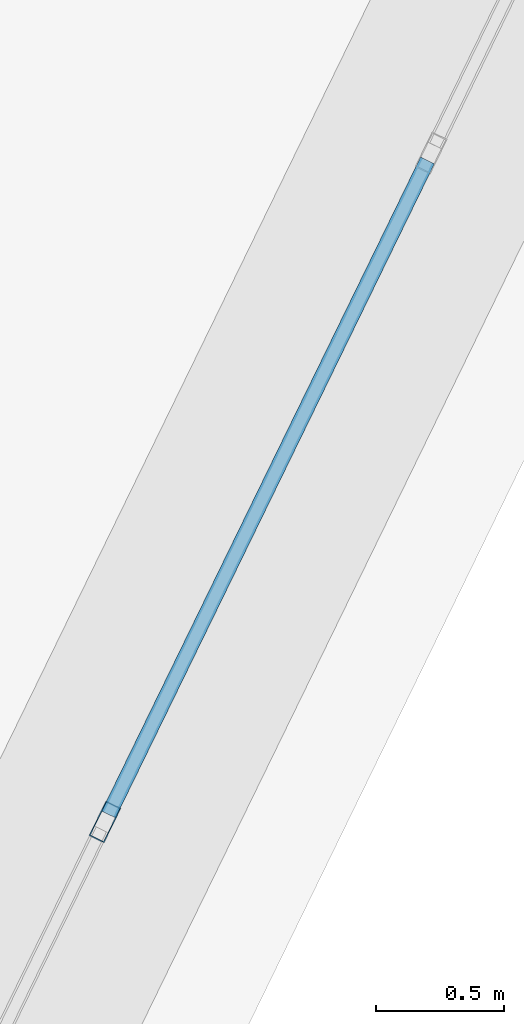
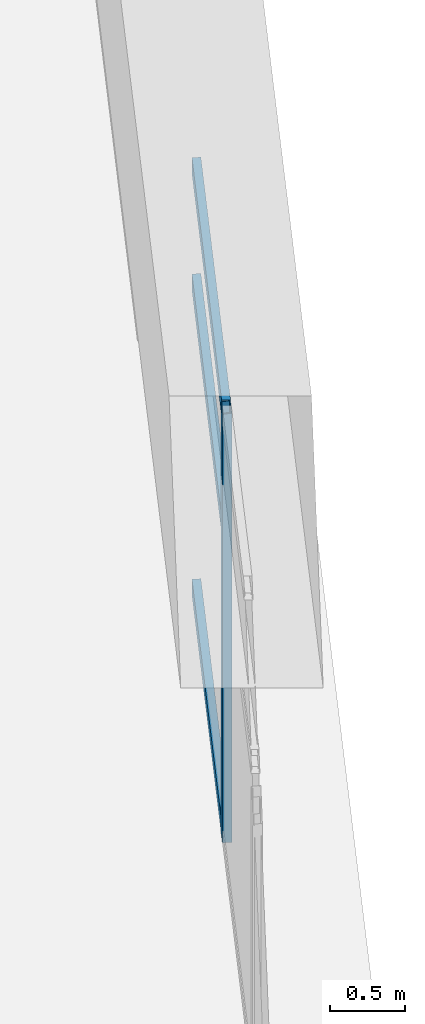
# One storey, part 18 of 40: 4 members, 1 element without a shape of its own.
"""IFC4 building model written with IfcOpenShell, lengths in metres."""

import ifcopenshell
import ifcopenshell.guid

model = None  # the IFC model being written
_history = None  # IfcOwnerHistory: only IFC2X3 demands one
_inside = {}  # id of a spatial element -> (the spatial element, [elements in it])
_under = {}  # id of a project, library or spatial element -> (it, [spatial elements below it])
_declared = {}  # id of a project -> (the project, [libraries it declares])
_typed = {}  # id of a type object -> (the type object, [elements of that type])
_made_of = {}  # id of a material, layer set ... -> (it, [elements and type objects made of it])


def new_model(schema):
    """Start an empty IFC model of exactly this schema.

    Asked for "IFC4X3", IfcOpenShell would pick the latest addendum, in which some entities
    have other attributes; the version numbers below select the first issue.
    IFC2X3 requires an IfcOwnerHistory on every rooted entity: one is made here for all.
    """
    global model, _history
    if schema == "IFC4X3":
        model = ifcopenshell.file(schema_version=(4, 3, 0, 0))
    else:
        model = ifcopenshell.file(schema=schema)
    _inside.clear()
    _under.clear()
    _declared.clear()
    _typed.clear()
    _made_of.clear()
    _history = None
    if model.schema == "IFC2X3":
        org = make("IfcOrganization", Name="unknown")
        user = make(
            "IfcPersonAndOrganization",
            ThePerson=make("IfcPerson", FamilyName="unknown"),
            TheOrganization=org,
        )
        app = make(
            "IfcApplication",
            ApplicationDeveloper=org,
            Version="unknown",
            ApplicationFullName="unknown",
            ApplicationIdentifier="unknown",
        )
        _history = make(
            "IfcOwnerHistory",
            OwningUser=user,
            OwningApplication=app,
            ChangeAction="ADDED",
            CreationDate=0,
        )
    return model


def make(cls, **values):
    """One entity of the class cls with the attributes given. An attribute that is None is left unset."""
    return model.create_entity(
        cls, **{name: value for name, value in values.items() if value is not None}
    )


def rooted(cls, **values):
    """An entity with a GlobalId (a new one), such as an element, a storey or a relation."""
    return make(cls, GlobalId=ifcopenshell.guid.new(), OwnerHistory=_history, **values)


def si_unit(unit_type, name, prefix=None):
    """IfcSIUnit, for example si_unit("LENGTHUNIT", "METRE", prefix="MILLI")."""
    return make("IfcSIUnit", UnitType=unit_type, Prefix=prefix, Name=name)


def assignment(units):
    """IfcUnitAssignment: the units of a project."""
    return None if units is None else make("IfcUnitAssignment", Units=units)


def point(xyz):
    """IfcCartesianPoint."""
    return None if xyz is None else make("IfcCartesianPoint", Coordinates=xyz)


def direction(xyz):
    """IfcDirection."""
    return None if xyz is None else make("IfcDirection", DirectionRatios=xyz)


def frame(location, z_axis=None, x_axis=None):
    """IfcAxis2Placement3D, a coordinate frame: its origin and axes. An axis left out is left unset."""
    return make(
        "IfcAxis2Placement3D",
        Location=point(location),
        Axis=direction(z_axis),
        RefDirection=direction(x_axis),
    )


def frame_2d(location, x_axis=None):
    """IfcAxis2Placement2D, a coordinate frame in the plane: its origin and x axis."""
    return make(
        "IfcAxis2Placement2D", Location=point(location), RefDirection=direction(x_axis)
    )


def origin():
    """The frame at (0, 0, 0) with its axes left unset."""
    return frame((0.0, 0.0, 0.0))


def origin_2d():
    """The frame at (0, 0) in the plane with its x axis left unset."""
    return frame_2d((0.0, 0.0))


def place(relative_to, where):
    """IfcLocalPlacement: puts the frame where relative to a parent placement (None: the world)."""
    return make(
        "IfcLocalPlacement", PlacementRelTo=relative_to, RelativePlacement=where
    )


def context(
    kind, dimensions, precision=None, world=None, true_north=None, identifier=None
):
    """IfcGeometricRepresentationContext, for example the 3D "Model" context."""
    return make(
        "IfcGeometricRepresentationContext",
        ContextIdentifier=identifier,
        ContextType=kind,
        CoordinateSpaceDimension=dimensions,
        Precision=precision,
        WorldCoordinateSystem=world,
        TrueNorth=true_north,
    )


def subcontext(parent, identifier, kind, view, scale=None):
    """IfcGeometricRepresentationSubContext, for example "Body" below "Model"."""
    return make(
        "IfcGeometricRepresentationSubContext",
        ContextIdentifier=identifier,
        ContextType=kind,
        ParentContext=parent,
        TargetScale=scale,
        TargetView=view,
    )


def project(units=None, contexts=None):
    """IfcProject with its units and contexts."""
    return rooted(
        "IfcProject",
        Name="project",
        RepresentationContexts=contexts,
        UnitsInContext=assignment(units),
    )


def spatial(cls, under=None, at=None, **own):
    """A site, building, storey or space (cls), placed at a placement, below another one or the project."""
    s = rooted(cls, ObjectPlacement=at, **own)
    if under is not None:
        _under.setdefault(under.id(), (under, []))[1].append(s)
    return s


def profile(cls, at=None, kind="AREA", **sizes):
    """A parametric profile (cls). Its sizes go by their IFC names, for example OverallWidth=200.0."""
    return make(cls, ProfileType=kind, Position=at, **sizes)


def hollow_rectangle(**sizes):
    """IfcRectangleHollowProfileDef."""
    return profile("IfcRectangleHollowProfileDef", **sizes)


def extrude(swept, where, along, depth):
    """IfcExtrudedAreaSolid: the profile swept, set in the frame where, extruded along a direction by depth."""
    return make(
        "IfcExtrudedAreaSolid",
        SweptArea=swept,
        Position=where,
        ExtrudedDirection=direction(along),
        Depth=depth,
    )


def shape(context_of_items, identifier, shape_type, items):
    """IfcShapeRepresentation: the items that make up one representation, for example the "Body"."""
    return make(
        "IfcShapeRepresentation",
        ContextOfItems=context_of_items,
        RepresentationIdentifier=identifier,
        RepresentationType=shape_type,
        Items=items,
    )


def source(mapping_origin, context_of_items, identifier, shape_type, items):
    """IfcRepresentationMap: a shape defined once, which mapped items show again and again."""
    return make(
        "IfcRepresentationMap",
        MappingOrigin=mapping_origin,
        MappedRepresentation=shape(context_of_items, identifier, shape_type, items),
    )


def transform(
    local_origin,
    x_axis=None,
    y_axis=None,
    z_axis=None,
    scale=None,
    scale2=None,
    scale3=None,
    uniform=True,
):
    """IfcCartesianTransformationOperator3D, or its non-uniform kind. x_axis, y_axis, z_axis: its Axis1, 2, 3."""
    if uniform:
        return make(
            "IfcCartesianTransformationOperator3D",
            Axis1=direction(x_axis),
            Axis2=direction(y_axis),
            LocalOrigin=point(local_origin),
            Scale=scale,
            Axis3=direction(z_axis),
        )
    return make(
        "IfcCartesianTransformationOperator3DnonUniform",
        Axis1=direction(x_axis),
        Axis2=direction(y_axis),
        LocalOrigin=point(local_origin),
        Scale=scale,
        Axis3=direction(z_axis),
        Scale2=scale2,
        Scale3=scale3,
    )


def mapped(mapping_source, mapping_target):
    """IfcMappedItem: shows the shape of a source again, moved by a transform."""
    return make(
        "IfcMappedItem", MappingSource=mapping_source, MappingTarget=mapping_target
    )


def material(Name=None, Category=None):
    """IfcMaterial."""
    return make("IfcMaterial", Name=Name, Category=Category)


def layer(
    of_material, thickness, ventilated=None, Name=None, Category=None, Priority=None
):
    """IfcMaterialLayer: one layer of a wall or slab, of a material (None: an air gap)."""
    return make(
        "IfcMaterialLayer",
        Material=of_material,
        LayerThickness=thickness,
        IsVentilated=ventilated,
        Name=Name,
        Category=Category,
        Priority=Priority,
    )


def layer_set(layers, Name=None):
    """IfcMaterialLayerSet."""
    return make("IfcMaterialLayerSet", MaterialLayers=layers, LayerSetName=Name)


def material_profile(
    of_material, cross_section, Name=None, Category=None, Priority=None
):
    """IfcMaterialProfile: a cross section and its material."""
    return make(
        "IfcMaterialProfile",
        Name=Name,
        Material=of_material,
        Profile=cross_section,
        Priority=Priority,
        Category=Category,
    )


def profile_set(profiles, Name=None, composite=None):
    """IfcMaterialProfileSet."""
    return make(
        "IfcMaterialProfileSet",
        Name=Name,
        MaterialProfiles=profiles,
        CompositeProfile=composite,
    )


def made_of(thing, what):
    """Note that an element or type object is made of a material, layer set ...; save() writes the relation."""
    if what is not None:
        _made_of.setdefault(what.id(), (what, []))[1].append(thing)
    return thing


def type_object(cls, material=None, **own):
    """A type object (cls), such as IfcWallType, which elements share."""
    return made_of(rooted(cls, **own), material)


def element(
    cls,
    number,
    at=None,
    inside=None,
    cuts=None,
    type_object=None,
    material=None,
    context=None,
    identifier="Body",
    shape_type=None,
    held_by="IfcProductDefinitionShape",
    body=None,
    shapes=None,
    **own,
):
    """One element of the class cls, such as IfcWall. Its Tag is "e" and its number.

    at: its placement. inside: the storey or other place that contains it. cuts: it is an
    opening in that element (IfcRelVoidsElement). A single representation is given by context,
    identifier, shape_type and body (its items); several are given by shapes. held_by: the class
    of the entity that holds the representations. save() writes the other relations.
    """
    e = rooted(cls, Tag="e%d" % number, ObjectPlacement=at, **own)
    if body is not None:
        shapes = [shape(context, identifier, shape_type, body)]
    if shapes is not None:
        e.Representation = make(held_by, Representations=shapes)
    if inside is not None:
        _inside.setdefault(inside.id(), (inside, []))[1].append(e)
    if cuts is not None:
        rooted(
            "IfcRelVoidsElement", RelatingBuildingElement=cuts, RelatedOpeningElement=e
        )
    if type_object is not None:
        _typed.setdefault(type_object.id(), (type_object, []))[1].append(e)
    return made_of(e, material)


def aggregate(whole, parts):
    """IfcRelAggregates: a whole, such as a stair, and the parts it consists of."""
    return rooted("IfcRelAggregates", RelatingObject=whole, RelatedObjects=parts)


def save(model, path):
    """Write the relations noted so far, then the file.

    IfcRelAggregates (storeys below a building ...), IfcRelContainedInSpatialStructure (elements
    in a storey), IfcRelDefinesByType, IfcRelAssociatesMaterial and IfcRelDeclares: one each for
    every whole, place, type object, material and project.
    """
    for whole, parts in _under.values():
        aggregate(whole, parts)
    for where, things in _inside.values():
        rooted(
            "IfcRelContainedInSpatialStructure",
            RelatedElements=things,
            RelatingStructure=where,
        )
    for kind, things in _typed.values():
        rooted("IfcRelDefinesByType", RelatedObjects=things, RelatingType=kind)
    for what, things in _made_of.values():
        rooted("IfcRelAssociatesMaterial", RelatedObjects=things, RelatingMaterial=what)
    for by, libraries in _declared.values():
        rooted("IfcRelDeclares", RelatingContext=by, RelatedDefinitions=libraries)
    model.write(path)


model = new_model("IFC4")

# Units and contexts
model_context = context("Model", 3, precision=1e-05, world=origin(), true_north=direction((0.0, 1.0)))
body_context = subcontext(model_context, "Body", "Model", "MODEL_VIEW")
ifc_project = project(units=[si_unit("LENGTHUNIT", "METRE"), si_unit("AREAUNIT", "SQUARE_METRE"), si_unit("VOLUMEUNIT", "CUBIC_METRE"), si_unit("PLANEANGLEUNIT", "RADIAN"), si_unit("MASSUNIT", "GRAM", prefix="KILO")], contexts=[model_context])

# Site, building, storey
site_placement = place(None, origin())
site = spatial("IfcSite", under=ifc_project, at=site_placement, CompositionType="ELEMENT")
building_placement = place(site_placement, origin())
building = spatial("IfcBuilding", under=site, at=building_placement, Name="Liaohun Quay Tower", CompositionType="ELEMENT")
storey_placement = place(building_placement, frame((0.0, 0.0, 351.0)))
storey = spatial("IfcBuildingStorey", under=building, at=storey_placement, Name="L91", CompositionType="ELEMENT", Elevation=351.0)

# Curtain wall, members
ifc_material_1 = material(Name="Observation gallery panoramic triple-glazed curtain wall")
ifc_layer = layer(ifc_material_1, 0.219970703125, Name="Observation gallery panoramic triple-glazed curtain wall")
ifc_layer_set = layer_set([ifc_layer], Name="Observation gallery panoramic triple-glazed curtain wall")
curtain_wall_type = type_object("IfcCurtainWallType", Name="CW-OBS-CRN", PredefinedType="NOTDEFINED", material=ifc_layer_set)
curtain_wall_placement = place(storey_placement, origin())
curtain_wall = element("IfcCurtainWall", 1, at=curtain_wall_placement, inside=storey, type_object=curtain_wall_type, Name="L91 Panoramic Belvedere Curtain Wall 02", PredefinedType="NOTDEFINED")
ifc_material_2 = material(Name="Anodised aluminium 6063-T6", Category="aluminium")
ifc_material_profile_1 = material_profile(ifc_material_2, hollow_rectangle(XDim=0.06494140625, YDim=0.14990234375, WallThickness=0.00390625, at=origin_2d()), Name="RHS150x65x4")
ifc_profile_set_1 = profile_set([ifc_material_profile_1], Name="Anodised aluminium 6063-T6")
member_type_1 = type_object("IfcMemberType", Name="MEM-CWM-SKY", PredefinedType="MULLION", material=ifc_profile_set_1)
shared_shape_1 = source(origin(), body_context, "Body", "SweptSolid", [
    extrude(hollow_rectangle(XDim=0.06494140625, YDim=0.14990234375, WallThickness=0.00390625, at=origin_2d()), origin(), (0.0, 0.0, 1.0), 3.5),
])
member_1_placement = place(storey_placement, frame((82.839111328125, 53.359619140625, 0.0), z_axis=(0.0, 0.0, 1.0), x_axis=(-0.89884796544, 0.438260578908, 0.0)))
member_1 = element("IfcMember", 2, at=member_1_placement, type_object=member_type_1, Name="CW6 mullion 3", PredefinedType="MULLION", context=body_context, shape_type="MappedRepresentation", body=[
    mapped(shared_shape_1, transform((0.0, 0.0, 0.0), x_axis=(1.0, 0.0, 0.0), y_axis=(0.0, 1.0, 0.0), z_axis=(0.0, 0.0, 1.0), scale=1.0)),
])
ifc_material_profile_2 = material_profile(ifc_material_2, hollow_rectangle(XDim=0.06005859375, YDim=0.135009765625, WallThickness=0.00390625, at=origin_2d()), Name="RHS135x60x4")
ifc_profile_set_2 = profile_set([ifc_material_profile_2], Name="Anodised aluminium 6063-T6")
member_type_2 = type_object("IfcMemberType", Name="MEM-CWT-SKY", PredefinedType="USERDEFINED", material=ifc_profile_set_2)
shared_shape_2 = source(origin(), body_context, "Body", "SweptSolid", [
    extrude(hollow_rectangle(XDim=0.06005859375, YDim=0.135009765625, WallThickness=0.00390625, at=origin_2d()), origin(), (0.0, 0.0, 1.0), 2.8349609375),
])
member_2_placement = place(storey_placement, frame((82.853271484375, 53.388671875, 0.030029296875), z_axis=(0.438235296667, 0.898860292123, 0.0), x_axis=(-0.898860292123, 0.438235296667, 0.0)))
member_2 = element("IfcMember", 3, at=member_2_placement, type_object=member_type_2, Name="CW6 transom 3.1", ObjectType="TRANSOM", PredefinedType="USERDEFINED", context=body_context, shape_type="MappedRepresentation", body=[
    mapped(shared_shape_2, transform((0.0, 0.0, 0.0), x_axis=(1.0, 0.0, 0.0), y_axis=(0.0, 1.0, 0.0), z_axis=(0.0, 0.0, 1.0), scale=1.0)),
])
member_3_placement = place(storey_placement, frame((82.853271484375, 53.388671875, 2.52001953125), z_axis=(0.438235296667, 0.898860292123, 0.0), x_axis=(-0.898860292123, 0.438235296667, 0.0)))
member_3 = element("IfcMember", 4, at=member_3_placement, type_object=member_type_2, Name="CW6 transom 3.2", ObjectType="TRANSOM", PredefinedType="USERDEFINED", context=body_context, shape_type="MappedRepresentation", body=[
    mapped(shared_shape_2, transform((0.0, 0.0, 0.0), x_axis=(1.0, 0.0, 0.0), y_axis=(0.0, 1.0, 0.0), z_axis=(0.0, 0.0, 1.0), scale=1.0)),
])
member_4_placement = place(storey_placement, frame((82.853271484375, 53.388671875, 3.469970703125), z_axis=(0.438235296667, 0.898860292123, 0.0), x_axis=(-0.898860292123, 0.438235296667, 0.0)))
member_4 = element("IfcMember", 5, at=member_4_placement, type_object=member_type_2, Name="CW6 transom 3.3", ObjectType="TRANSOM", PredefinedType="USERDEFINED", context=body_context, shape_type="MappedRepresentation", body=[
    mapped(shared_shape_2, transform((0.0, 0.0, 0.0), x_axis=(1.0, 0.0, 0.0), y_axis=(0.0, 1.0, 0.0), z_axis=(0.0, 0.0, 1.0), scale=1.0)),
])
aggregate(curtain_wall, [member_1, member_2, member_3, member_4])

save(model, "model.ifc")
